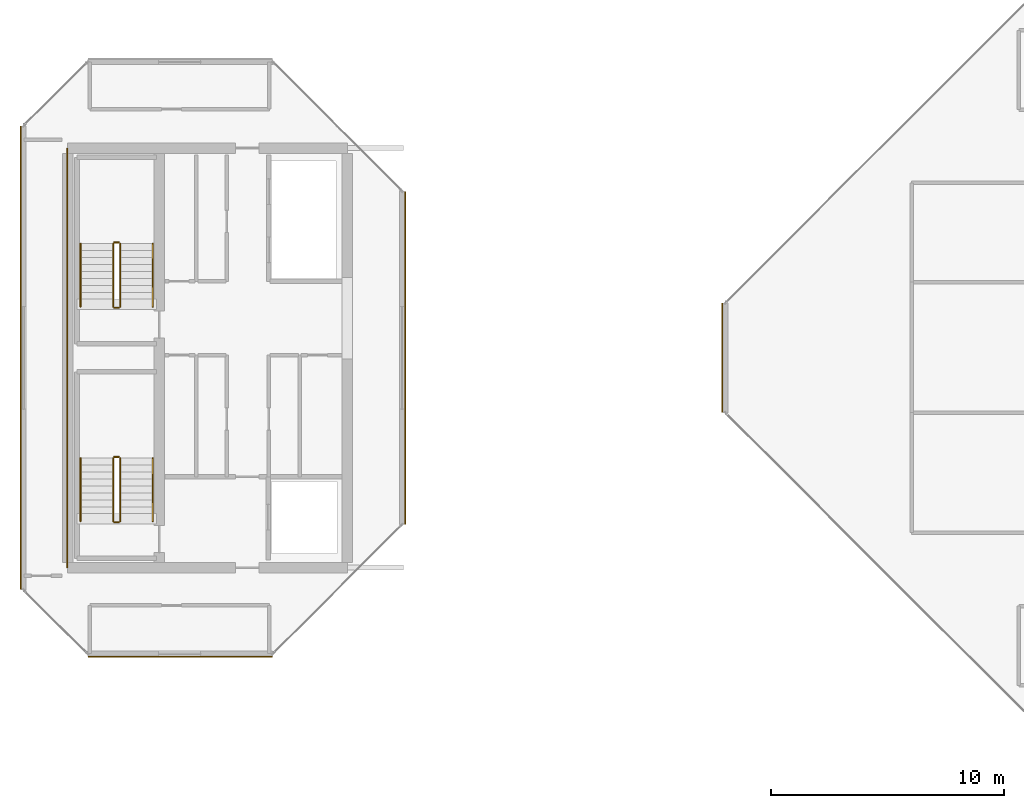
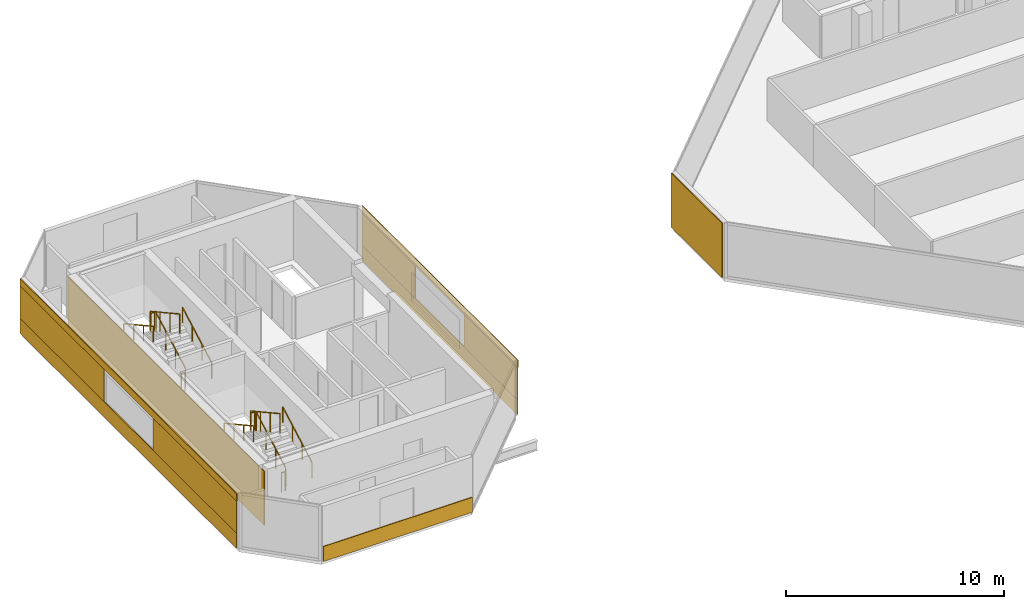
# One storey, part 27 of 29: 12 railings, 11 coverings.
"""IFC4 building model written with IfcOpenShell, lengths in metres."""

from ifc_helpers import new_model, si_unit, direction, frame, origin, origin_2d, place, context, subcontext, project, spatial, rectangle, extrude, material, layer, layer_set, type_object, element, save


model = new_model("IFC4")

# Units and contexts
model_context = context("Model", 3, precision=1e-05, world=origin(), true_north=direction((0.0, 1.0)))
body_context = subcontext(model_context, "Body", "Model", "MODEL_VIEW")
ifc_project = project(units=[si_unit("LENGTHUNIT", "METRE"), si_unit("AREAUNIT", "SQUARE_METRE"), si_unit("VOLUMEUNIT", "CUBIC_METRE"), si_unit("PLANEANGLEUNIT", "RADIAN"), si_unit("MASSUNIT", "GRAM", prefix="KILO")], contexts=[model_context])

# Site, building, storey
site_placement = place(None, origin())
site = spatial("IfcSite", under=ifc_project, at=site_placement, CompositionType="ELEMENT")
building_placement = place(site_placement, origin())
building = spatial("IfcBuilding", under=site, at=building_placement, Name="Tanjung Sevakor Pilgrim Tower", CompositionType="ELEMENT")
storey_placement = place(building_placement, frame((0.0, 0.0, 235.949951171875)))
storey = spatial("IfcBuildingStorey", under=building, at=storey_placement, Name="L66", CompositionType="ELEMENT", Elevation=235.949951171875)

# Coverings
ifc_material_1 = material(Name="Reconstructed Limestone Cladding", Category="masonry")
ifc_layer = layer(ifc_material_1, 0.044921875)
ifc_layer_set = layer_set([ifc_layer], Name="COV-CLAD-LIMESTONE")
covering_type = type_object("IfcCoveringType", Name="COV-CLAD-LIMESTONE", PredefinedType="CLADDING", material=ifc_layer_set)
covering_1_placement = place(storey_placement, frame((28.824951171875, 20.777587890625, 0.009765625), z_axis=(0.0, 0.0, 1.0), x_axis=(1.0, 0.0, 0.0)))
element("IfcCovering", 1, at=covering_1_placement, inside=storey, type_object=covering_type, Name="L66 Warm Limestone Sill Spandrel EW-L66-WEST-1-1", PredefinedType="CLADDING", context=body_context, shape_type="SweptSolid", body=[
    extrude(rectangle(XDim=7.87890625, YDim=0.044921875, at=origin_2d()), origin(), (0.0, 0.0, 1.0), 0.840087890625),
])
covering_2_placement = place(storey_placement, frame((38.472412109375, 33.60009765625, 0.009765625), z_axis=(0.0, 0.0, 1.0), x_axis=(0.0, 1.0, 0.0)))
element("IfcCovering", 2, at=covering_2_placement, inside=storey, type_object=covering_type, Name="L66 Warm Limestone Sill Spandrel EW-L66-WEST-3-1", PredefinedType="CLADDING", context=body_context, shape_type="SweptSolid", body=[
    extrude(rectangle(XDim=14.228759765625, YDim=0.044921875, at=origin_2d()), origin(), (0.0, 0.0, 1.0), 0.840087890625),
])
covering_3_placement = place(storey_placement, frame((38.472412109375, 33.60009765625, 2.66015625), z_axis=(0.0, 0.0, 1.0), x_axis=(0.0, 1.0, 0.0)))
element("IfcCovering", 3, at=covering_3_placement, inside=storey, type_object=covering_type, Name="L66 Warm Limestone Cornice Spandrel EW-L66-WEST-3", PredefinedType="CLADDING", context=body_context, shape_type="SweptSolid", body=[
    extrude(rectangle(XDim=14.268798828125, YDim=0.044921875, at=origin_2d()), origin(), (0.0, 0.0, 1.0), 0.409912109375),
])
for number, where, z_axis, x_axis, name in (
    (4, (38.472412109375, 28.917724609375, 0.85009765625), (0.0, 0.0, 1.0), (0.0, 1.0, 0.0), "L66 Warm Limestone Pier Panel EW-L66-WEST-3-1"),
    (5, (38.472412109375, 38.2822265625, 0.85009765625), (0.0, 0.0, 1.0), (0.0, 1.0, 0.0), "L66 Warm Limestone Pier Panel EW-L66-WEST-3-2"),
):
    element("IfcCovering", number, at=place(storey_placement, frame(where, z_axis=z_axis, x_axis=x_axis)), inside=storey, type_object=covering_type, Name=name, PredefinedType="CLADDING", context=body_context, shape_type="SweptSolid", body=[
        extrude(rectangle(XDim=4.864501953125, YDim=0.044921875, at=origin_2d()), origin(), (0.0, 0.0, 1.0), 1.81005859375),
    ])
covering_4_placement = place(storey_placement, frame((21.9775390625, 33.60009765625, 0.009765625), z_axis=(0.0, 0.0, 1.0), x_axis=(0.0, -1.0, 0.0)))
element("IfcCovering", 6, at=covering_4_placement, inside=storey, type_object=covering_type, Name="L66 Warm Limestone Sill Spandrel EW-L66-WEST-7-1", PredefinedType="CLADDING", context=body_context, shape_type="SweptSolid", body=[
    extrude(rectangle(XDim=19.828857421875, YDim=0.044921875, at=origin_2d()), origin(), (0.0, 0.0, 1.0), 0.840087890625),
])
covering_5_placement = place(storey_placement, frame((21.9775390625, 33.60009765625, 2.66015625), z_axis=(0.0, 0.0, 1.0), x_axis=(0.0, -1.0, 0.0)))
element("IfcCovering", 7, at=covering_5_placement, inside=storey, type_object=covering_type, Name="L66 Warm Limestone Cornice Spandrel EW-L66-WEST-7", PredefinedType="CLADDING", context=body_context, shape_type="SweptSolid", body=[
    extrude(rectangle(XDim=19.868896484375, YDim=0.044921875, at=origin_2d()), origin(), (0.0, 0.0, 1.0), 0.409912109375),
])
for number, where, z_axis, x_axis, name in (
    (8, (21.9775390625, 39.68212890625, 0.85009765625), (0.0, 0.0, 1.0), (0.0, -1.0, 0.0), "L66 Warm Limestone Pier Panel EW-L66-WEST-7-1"),
    (9, (21.9775390625, 27.517822265625, 0.85009765625), (0.0, 0.0, 1.0), (0.0, -1.0, 0.0), "L66 Warm Limestone Pier Panel EW-L66-WEST-7-2"),
):
    element("IfcCovering", number, at=place(storey_placement, frame(where, z_axis=z_axis, x_axis=x_axis)), inside=storey, type_object=covering_type, Name=name, PredefinedType="CLADDING", context=body_context, shape_type="SweptSolid", body=[
        extrude(rectangle(XDim=7.664306640625, YDim=0.044921875, at=origin_2d()), origin(), (0.0, 0.0, 1.0), 1.81005859375),
    ])
covering_6_placement = place(storey_placement, frame((52.077392578125, 33.60009765625, 0.02001953125), z_axis=(0.0, 0.0, 1.0), x_axis=(0.0, -1.0, 0.0)))
element("IfcCovering", 10, at=covering_6_placement, inside=storey, type_object=covering_type, Name="L66 Warm Limestone Wall Cladding EW-L66-EAST-7", PredefinedType="CLADDING", context=body_context, shape_type="SweptSolid", body=[
    extrude(rectangle(XDim=4.668701171875, YDim=0.044921875, at=origin_2d()), origin(), (0.0, 0.0, 1.0), 3.0400390625),
])
covering_7_placement = place(storey_placement, frame((23.9775390625, 33.60009765625, 0.02001953125), z_axis=(0.0, 0.0, 1.0), x_axis=(1.0, 0.0, 0.0)))
element("IfcCovering", 11, at=covering_7_placement, inside=storey, type_object=covering_type, Name="L66 Expressed Core Warm Limestone Cladding W", PredefinedType="CLADDING", context=body_context, shape_type="SweptSolid", body=[
    extrude(rectangle(XDim=0.044921875, YDim=18.0, at=origin_2d()), origin(), (0.0, 0.0, 1.0), 3.0400390625),
])

# Railings
ifc_material_2 = material(Name="Steel S355J2", Category="steel")
railing_type_1 = type_object("IfcRailingType", Name="RL-STAIR-GUARD", PredefinedType="GUARDRAIL", material=ifc_material_2)
railing_1_placement = place(storey_placement, frame((26.25, 26.60009765625, 0.1650390625)))
element("IfcRailing", 12, at=railing_1_placement, inside=storey, type_object=railing_type_1, Name="L66 TS-W1 stair guard 1", PredefinedType="GUARDRAIL", context=body_context, shape_type="SweptSolid", body=[
    extrude(rectangle(XDim=0.0479, YDim=0.0479), frame((0.0, 0.0, 1.076171875), z_axis=(0.0, 0.876197507361, 0.481952205197), x_axis=(-1.0, 0.0, 0.0)), (0.0, 0.0, 1.0), 3.08154296875),
    extrude(rectangle(XDim=0.042, YDim=0.042), origin(), (0.0, 0.0, 1.0), 1.052001953125),
    extrude(rectangle(XDim=0.042, YDim=0.042), frame((0.0, 0.89990234375, 0.4951171875)), (0.0, 0.0, 1.0), 1.052001953125),
    extrude(rectangle(XDim=0.042, YDim=0.042), frame((0.0, 1.800048828125, 0.989990234375)), (0.0, 0.0, 1.0), 1.052001953125),
    extrude(rectangle(XDim=0.042, YDim=0.042), frame((0.0, 2.699951171875, 1.485107421875)), (0.0, 0.0, 1.0), 1.052001953125),
])
railing_2_placement = place(storey_placement, frame((26.199951171875, 29.35009765625, 1.650146484375)))
element("IfcRailing", 13, at=railing_2_placement, inside=storey, type_object=railing_type_1, Name="L66 TS-W1 stair guard 2", PredefinedType="GUARDRAIL", context=body_context, shape_type="SweptSolid", body=[
    extrude(rectangle(XDim=0.0479, YDim=0.0479), frame((0.0, 0.0, 1.076171875), z_axis=(-1.0, 0.0, 0.0), x_axis=(0.0, -1.0, 0.0)), (0.0, 0.0, 1.0), 0.199951171875),
    extrude(rectangle(XDim=0.042, YDim=0.042), origin(), (0.0, 0.0, 1.0), 1.052001953125),
    extrude(rectangle(XDim=0.042, YDim=0.042), frame((-0.199951171875, 0.0, 0.0)), (0.0, 0.0, 1.0), 1.052001953125),
])
railing_3_placement = place(storey_placement, frame((25.949951171875, 29.300048828125, 1.81494140625)))
element("IfcRailing", 14, at=railing_3_placement, inside=storey, type_object=railing_type_1, Name="L66 TS-W1 stair guard 3", PredefinedType="GUARDRAIL", context=body_context, shape_type="SweptSolid", body=[
    extrude(rectangle(XDim=0.0479, YDim=0.0479), frame((0.0, 0.0, 1.076171875), z_axis=(0.0, -0.876197507361, 0.481952205197), x_axis=(1.0, 0.0, 0.0)), (0.0, 0.0, 1.0), 3.08154296875),
    extrude(rectangle(XDim=0.042, YDim=0.042), origin(), (0.0, 0.0, 1.0), 1.052001953125),
    extrude(rectangle(XDim=0.042, YDim=0.042), frame((0.0, -0.89990234375, 0.4951171875)), (0.0, 0.0, 1.0), 1.052001953125),
    extrude(rectangle(XDim=0.042, YDim=0.042), frame((0.0, -1.800048828125, 0.989990234375)), (0.0, 0.0, 1.0), 1.052001953125),
    extrude(rectangle(XDim=0.042, YDim=0.042), frame((0.0, -2.699951171875, 1.485107421875)), (0.0, 0.0, 1.0), 1.052001953125),
])
railing_4_placement = place(storey_placement, frame((26.199951171875, 26.550048828125, 0.0)))
element("IfcRailing", 15, at=railing_4_placement, inside=storey, type_object=railing_type_1, Name="L66 TS-W1 stair guard 4", PredefinedType="GUARDRAIL", context=body_context, shape_type="SweptSolid", body=[
    extrude(rectangle(XDim=0.0479, YDim=0.0479), frame((0.0, 0.0, 1.076171875), z_axis=(-1.0, 0.0, 0.0), x_axis=(0.0, -1.0, 0.0)), (0.0, 0.0, 1.0), 0.199951171875),
    extrude(rectangle(XDim=0.042, YDim=0.042), origin(), (0.0, 0.0, 1.0), 1.052001953125),
    extrude(rectangle(XDim=0.042, YDim=0.042), frame((-0.199951171875, 0.0, 0.0)), (0.0, 0.0, 1.0), 1.052001953125),
])
railing_5_placement = place(storey_placement, frame((26.25, 35.800048828125, 0.1650390625)))
element("IfcRailing", 16, at=railing_5_placement, inside=storey, type_object=railing_type_1, Name="L66 TS-W2 stair guard 1", PredefinedType="GUARDRAIL", context=body_context, shape_type="SweptSolid", body=[
    extrude(rectangle(XDim=0.0479, YDim=0.0479), frame((0.0, 0.0, 1.076171875), z_axis=(0.0, 0.876197507361, 0.481952205197), x_axis=(-1.0, 0.0, 0.0)), (0.0, 0.0, 1.0), 3.08154296875),
    extrude(rectangle(XDim=0.042, YDim=0.042), origin(), (0.0, 0.0, 1.0), 1.052001953125),
    extrude(rectangle(XDim=0.042, YDim=0.042), frame((0.0, 0.89990234375, 0.4951171875)), (0.0, 0.0, 1.0), 1.052001953125),
    extrude(rectangle(XDim=0.042, YDim=0.042), frame((0.0, 1.800048828125, 0.989990234375)), (0.0, 0.0, 1.0), 1.052001953125),
    extrude(rectangle(XDim=0.042, YDim=0.042), frame((0.0, 2.699951171875, 1.485107421875)), (0.0, 0.0, 1.0), 1.052001953125),
])
railing_6_placement = place(storey_placement, frame((26.199951171875, 38.550048828125, 1.650146484375)))
element("IfcRailing", 17, at=railing_6_placement, inside=storey, type_object=railing_type_1, Name="L66 TS-W2 stair guard 2", PredefinedType="GUARDRAIL", context=body_context, shape_type="SweptSolid", body=[
    extrude(rectangle(XDim=0.0479, YDim=0.0479), frame((0.0, 0.0, 1.076171875), z_axis=(-1.0, 0.0, 0.0), x_axis=(0.0, -1.0, 0.0)), (0.0, 0.0, 1.0), 0.199951171875),
    extrude(rectangle(XDim=0.042, YDim=0.042), origin(), (0.0, 0.0, 1.0), 1.052001953125),
    extrude(rectangle(XDim=0.042, YDim=0.042), frame((-0.199951171875, 0.0, 0.0)), (0.0, 0.0, 1.0), 1.052001953125),
])
railing_7_placement = place(storey_placement, frame((25.949951171875, 38.5, 1.81494140625)))
element("IfcRailing", 18, at=railing_7_placement, inside=storey, type_object=railing_type_1, Name="L66 TS-W2 stair guard 3", PredefinedType="GUARDRAIL", context=body_context, shape_type="SweptSolid", body=[
    extrude(rectangle(XDim=0.0479, YDim=0.0479), frame((0.0, 0.0, 1.076171875), z_axis=(0.0, -0.876197507361, 0.481952205197), x_axis=(1.0, 0.0, 0.0)), (0.0, 0.0, 1.0), 3.08154296875),
    extrude(rectangle(XDim=0.042, YDim=0.042), origin(), (0.0, 0.0, 1.0), 1.052001953125),
    extrude(rectangle(XDim=0.042, YDim=0.042), frame((0.0, -0.89990234375, 0.4951171875)), (0.0, 0.0, 1.0), 1.052001953125),
    extrude(rectangle(XDim=0.042, YDim=0.042), frame((0.0, -1.800048828125, 0.989990234375)), (0.0, 0.0, 1.0), 1.052001953125),
    extrude(rectangle(XDim=0.042, YDim=0.042), frame((0.0, -2.699951171875, 1.485107421875)), (0.0, 0.0, 1.0), 1.052001953125),
])
railing_8_placement = place(storey_placement, frame((26.199951171875, 35.75, 0.0)))
element("IfcRailing", 19, at=railing_8_placement, inside=storey, type_object=railing_type_1, Name="L66 TS-W2 stair guard 4", PredefinedType="GUARDRAIL", context=body_context, shape_type="SweptSolid", body=[
    extrude(rectangle(XDim=0.0479, YDim=0.0479), frame((0.0, 0.0, 1.076171875), z_axis=(-1.0, 0.0, 0.0), x_axis=(0.0, -1.0, 0.0)), (0.0, 0.0, 1.0), 0.199951171875),
    extrude(rectangle(XDim=0.042, YDim=0.042), origin(), (0.0, 0.0, 1.0), 1.052001953125),
    extrude(rectangle(XDim=0.042, YDim=0.042), frame((-0.199951171875, 0.0, 0.0)), (0.0, 0.0, 1.0), 1.052001953125),
])
ifc_material_3 = material(Name="Steel S355J2", Category="steel")
railing_type_2 = type_object("IfcRailingType", Name="RL-STAIR-HAND", PredefinedType="HANDRAIL", material=ifc_material_3)
railing_9_placement = place(storey_placement, frame((27.64990234375, 26.60009765625, 0.1650390625)))
element("IfcRailing", 20, at=railing_9_placement, inside=storey, type_object=railing_type_2, Name="L66 TS-W1 stair handrail 1", PredefinedType="HANDRAIL", context=body_context, shape_type="SweptSolid", body=[
    extrude(rectangle(XDim=0.0479, YDim=0.0479), frame((0.0, 0.0, 0.8759765625), z_axis=(0.0, 0.876197507361, 0.481952205197), x_axis=(-1.0, 0.0, 0.0)), (0.0, 0.0, 1.0), 3.08154296875),
    extrude(rectangle(XDim=0.042, YDim=0.042), origin(), (0.0, 0.0, 1.0), 0.851806640625),
    extrude(rectangle(XDim=0.042, YDim=0.042), frame((0.0, 0.89990234375, 0.4951171875)), (0.0, 0.0, 1.0), 0.851806640625),
    extrude(rectangle(XDim=0.042, YDim=0.042), frame((0.0, 1.800048828125, 0.989990234375)), (0.0, 0.0, 1.0), 0.851806640625),
    extrude(rectangle(XDim=0.042, YDim=0.042), frame((0.0, 2.699951171875, 1.485107421875)), (0.0, 0.0, 1.0), 0.851806640625),
])
railing_10_placement = place(storey_placement, frame((24.550048828125, 29.300048828125, 1.81494140625)))
element("IfcRailing", 21, at=railing_10_placement, inside=storey, type_object=railing_type_2, Name="L66 TS-W1 stair handrail 2", PredefinedType="HANDRAIL", context=body_context, shape_type="SweptSolid", body=[
    extrude(rectangle(XDim=0.0479, YDim=0.0479), frame((0.0, 0.0, 0.8759765625), z_axis=(0.0, -0.876197507361, 0.481952205197), x_axis=(1.0, 0.0, 0.0)), (0.0, 0.0, 1.0), 3.08154296875),
    extrude(rectangle(XDim=0.042, YDim=0.042), origin(), (0.0, 0.0, 1.0), 0.851806640625),
    extrude(rectangle(XDim=0.042, YDim=0.042), frame((0.0, -0.89990234375, 0.4951171875)), (0.0, 0.0, 1.0), 0.851806640625),
    extrude(rectangle(XDim=0.042, YDim=0.042), frame((0.0, -1.800048828125, 0.989990234375)), (0.0, 0.0, 1.0), 0.851806640625),
    extrude(rectangle(XDim=0.042, YDim=0.042), frame((0.0, -2.699951171875, 1.485107421875)), (0.0, 0.0, 1.0), 0.851806640625),
])
railing_11_placement = place(storey_placement, frame((27.64990234375, 35.800048828125, 0.1650390625)))
element("IfcRailing", 22, at=railing_11_placement, inside=storey, type_object=railing_type_2, Name="L66 TS-W2 stair handrail 1", PredefinedType="HANDRAIL", context=body_context, shape_type="SweptSolid", body=[
    extrude(rectangle(XDim=0.0479, YDim=0.0479), frame((0.0, 0.0, 0.8759765625), z_axis=(0.0, 0.876197507361, 0.481952205197), x_axis=(-1.0, 0.0, 0.0)), (0.0, 0.0, 1.0), 3.08154296875),
    extrude(rectangle(XDim=0.042, YDim=0.042), origin(), (0.0, 0.0, 1.0), 0.851806640625),
    extrude(rectangle(XDim=0.042, YDim=0.042), frame((0.0, 0.89990234375, 0.4951171875)), (0.0, 0.0, 1.0), 0.851806640625),
    extrude(rectangle(XDim=0.042, YDim=0.042), frame((0.0, 1.800048828125, 0.989990234375)), (0.0, 0.0, 1.0), 0.851806640625),
    extrude(rectangle(XDim=0.042, YDim=0.042), frame((0.0, 2.699951171875, 1.485107421875)), (0.0, 0.0, 1.0), 0.851806640625),
])
railing_12_placement = place(storey_placement, frame((24.550048828125, 38.5, 1.81494140625)))
element("IfcRailing", 23, at=railing_12_placement, inside=storey, type_object=railing_type_2, Name="L66 TS-W2 stair handrail 2", PredefinedType="HANDRAIL", context=body_context, shape_type="SweptSolid", body=[
    extrude(rectangle(XDim=0.0479, YDim=0.0479), frame((0.0, 0.0, 0.8759765625), z_axis=(0.0, -0.876197507361, 0.481952205197), x_axis=(1.0, 0.0, 0.0)), (0.0, 0.0, 1.0), 3.08154296875),
    extrude(rectangle(XDim=0.042, YDim=0.042), origin(), (0.0, 0.0, 1.0), 0.851806640625),
    extrude(rectangle(XDim=0.042, YDim=0.042), frame((0.0, -0.89990234375, 0.4951171875)), (0.0, 0.0, 1.0), 0.851806640625),
    extrude(rectangle(XDim=0.042, YDim=0.042), frame((0.0, -1.800048828125, 0.989990234375)), (0.0, 0.0, 1.0), 0.851806640625),
    extrude(rectangle(XDim=0.042, YDim=0.042), frame((0.0, -2.699951171875, 1.485107421875)), (0.0, 0.0, 1.0), 0.851806640625),
])

save(model, "model.ifc")
